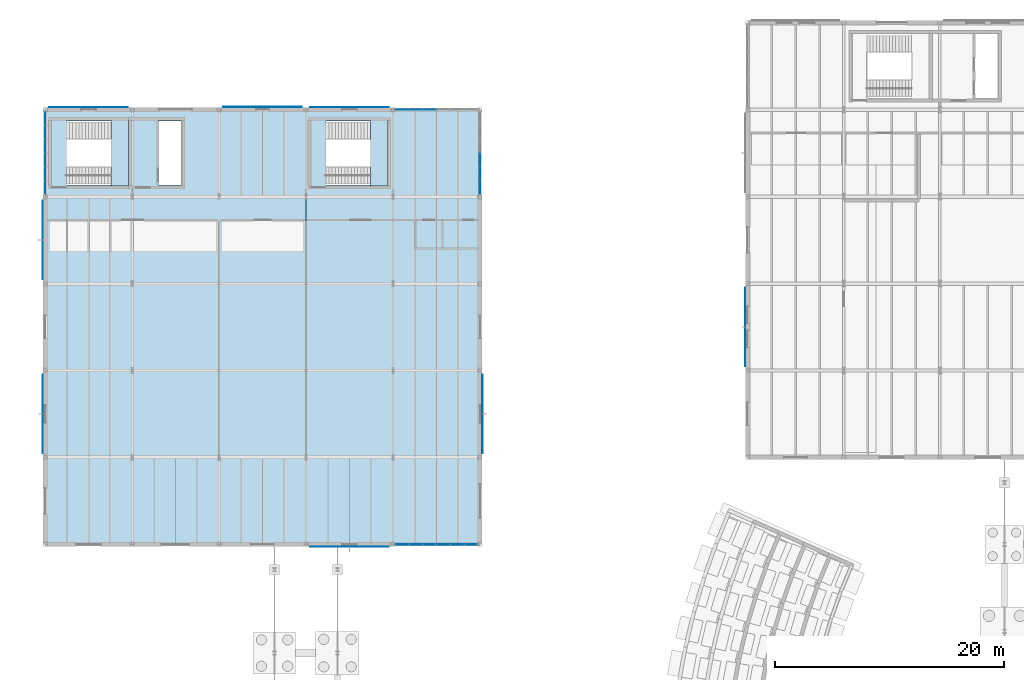
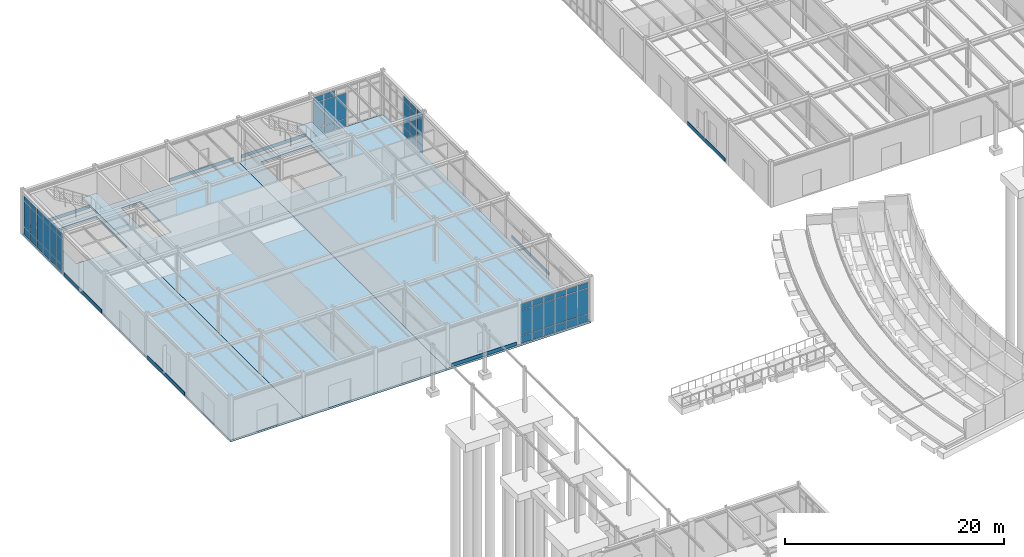
# One storey, part 76 of 109: 61 plates, 5 slabs, 6 elements without a shape of their own.
"""IFC4 building model written with IfcOpenShell, lengths in metres."""

from ifc_helpers import new_model, si_unit, direction, frame, origin, origin_2d, place, context, subcontext, project, spatial, polyline, rectangle, outline, extrude, material, layer, layer_set, type_object, element, aggregate, save


model = new_model("IFC4")

# Units and contexts
model_context = context("Model", 3, precision=1e-05, world=origin(), true_north=direction((0.0, 1.0)))
body_context = subcontext(model_context, "Body", "Model", "MODEL_VIEW")
ifc_project = project(units=[si_unit("LENGTHUNIT", "METRE"), si_unit("AREAUNIT", "SQUARE_METRE"), si_unit("VOLUMEUNIT", "CUBIC_METRE"), si_unit("PLANEANGLEUNIT", "RADIAN"), si_unit("MASSUNIT", "GRAM", prefix="KILO")], contexts=[model_context])

# Site, building, storey
site_placement = place(None, origin())
site = spatial("IfcSite", under=ifc_project, at=site_placement, CompositionType="ELEMENT")
building_placement = place(site_placement, origin())
building = spatial("IfcBuilding", under=site, at=building_placement, Name="Montecoro Central Library", CompositionType="ELEMENT")
storey_placement = place(building_placement, origin())
storey = spatial("IfcBuildingStorey", under=building, at=storey_placement, Name="L00", CompositionType="ELEMENT", Elevation=0.0)

# Curtain wall, plates
ifc_material_1 = material(Name="Bronze-anodised aluminium and low-E glazing", Category="aluminium")
ifc_layer_1 = layer(ifc_material_1, 0.159912109375)
ifc_layer_set_1 = layer_set([ifc_layer_1], Name="Bronze-anodised aluminium and low-E glazing")
curtain_wall_type_1 = type_object("IfcCurtainWallType", Name="CWT-038", PredefinedType="NOTDEFINED", material=ifc_layer_set_1)
curtain_wall_1_placement = place(storey_placement, origin())
curtain_wall_1 = element("IfcCurtainWall", 1, at=curtain_wall_1_placement, inside=storey, type_object=curtain_wall_type_1, Name="V4-L00-CW-S4", PredefinedType="NOTDEFINED")
ifc_material_2 = material(Name="Laminated low-E double glazing", Category="glass")
ifc_layer_2 = layer(ifc_material_2, 0.02587890625)
ifc_layer_set_2 = layer_set([ifc_layer_2], Name="Laminated low-E double glazing")
plate_type_1 = type_object("IfcPlateType", Name="CWP-GLZ-01", PredefinedType="CURTAIN_PANEL", material=ifc_layer_set_2)
plate_1_placement = place(storey_placement, frame((36.19921875, 73.39990234375, 0.070068359375), z_axis=(0.0, 0.0, 1.0), x_axis=(1.0, 0.0, 0.0)))
plate_1 = element("IfcPlate", 2, at=plate_1_placement, type_object=plate_type_1, Name="CW-038 panel 1.1", PredefinedType="CURTAIN_PANEL", context=body_context, shape_type="SweptSolid", body=[
    extrude(rectangle(XDim=1.102294921875, YDim=0.02587890625, at=origin_2d()), origin(), (0.0, 0.0, 1.0), 0.794921875),
])
plate_2_placement = place(storey_placement, frame((36.19921875, 73.39990234375, 0.93505859375), z_axis=(0.0, 0.0, 1.0), x_axis=(1.0, 0.0, 0.0)))
plate_2 = element("IfcPlate", 3, at=plate_2_placement, type_object=plate_type_1, Name="CW-038 panel 1.2", PredefinedType="CURTAIN_PANEL", context=body_context, shape_type="SweptSolid", body=[
    extrude(rectangle(XDim=1.102294921875, YDim=0.02587890625, at=origin_2d()), origin(), (0.0, 0.0, 1.0), 2.830078125),
])
plate_3_placement = place(storey_placement, frame((36.19921875, 73.39990234375, 3.8349609375), z_axis=(0.0, 0.0, 1.0), x_axis=(1.0, 0.0, 0.0)))
plate_3 = element("IfcPlate", 4, at=plate_3_placement, type_object=plate_type_1, Name="CW-038 panel 1.3", PredefinedType="CURTAIN_PANEL", context=body_context, shape_type="SweptSolid", body=[
    extrude(rectangle(XDim=1.102294921875, YDim=0.02587890625, at=origin_2d()), origin(), (0.0, 0.0, 1.0), 0.594970703125),
])
plate_4_placement = place(storey_placement, frame((37.388916015625, 73.39990234375, 0.070068359375), z_axis=(0.0, 0.0, 1.0), x_axis=(1.0, 0.0, 0.0)))
plate_4 = element("IfcPlate", 5, at=plate_4_placement, type_object=plate_type_1, Name="CW-038 panel 2.1", PredefinedType="CURTAIN_PANEL", context=body_context, shape_type="SweptSolid", body=[
    extrude(rectangle(XDim=1.137451171875, YDim=0.02587890625, at=origin_2d()), origin(), (0.0, 0.0, 1.0), 0.794921875),
])
plate_5_placement = place(storey_placement, frame((37.388916015625, 73.39990234375, 0.93505859375), z_axis=(0.0, 0.0, 1.0), x_axis=(1.0, 0.0, 0.0)))
plate_5 = element("IfcPlate", 6, at=plate_5_placement, type_object=plate_type_1, Name="CW-038 panel 2.2", PredefinedType="CURTAIN_PANEL", context=body_context, shape_type="SweptSolid", body=[
    extrude(rectangle(XDim=1.137451171875, YDim=0.02587890625, at=origin_2d()), origin(), (0.0, 0.0, 1.0), 2.830078125),
])
plate_6_placement = place(storey_placement, frame((37.388916015625, 73.39990234375, 3.8349609375), z_axis=(0.0, 0.0, 1.0), x_axis=(1.0, 0.0, 0.0)))
plate_6 = element("IfcPlate", 7, at=plate_6_placement, type_object=plate_type_1, Name="CW-038 panel 2.3", PredefinedType="CURTAIN_PANEL", context=body_context, shape_type="SweptSolid", body=[
    extrude(rectangle(XDim=1.137451171875, YDim=0.02587890625, at=origin_2d()), origin(), (0.0, 0.0, 1.0), 0.594970703125),
])
plate_7_placement = place(storey_placement, frame((38.596435546875, 73.39990234375, 0.070068359375), z_axis=(0.0, 0.0, 1.0), x_axis=(1.0, 0.0, 0.0)))
plate_7 = element("IfcPlate", 8, at=plate_7_placement, type_object=plate_type_1, Name="CW-038 panel 3.1", PredefinedType="CURTAIN_PANEL", context=body_context, shape_type="SweptSolid", body=[
    extrude(rectangle(XDim=1.137451171875, YDim=0.02587890625, at=origin_2d()), origin(), (0.0, 0.0, 1.0), 0.794921875),
])
plate_8_placement = place(storey_placement, frame((38.596435546875, 73.39990234375, 0.93505859375), z_axis=(0.0, 0.0, 1.0), x_axis=(1.0, 0.0, 0.0)))
plate_8 = element("IfcPlate", 9, at=plate_8_placement, type_object=plate_type_1, Name="CW-038 panel 3.2", PredefinedType="CURTAIN_PANEL", context=body_context, shape_type="SweptSolid", body=[
    extrude(rectangle(XDim=1.137451171875, YDim=0.02587890625, at=origin_2d()), origin(), (0.0, 0.0, 1.0), 2.830078125),
])
plate_9_placement = place(storey_placement, frame((38.596435546875, 73.39990234375, 3.8349609375), z_axis=(0.0, 0.0, 1.0), x_axis=(1.0, 0.0, 0.0)))
plate_9 = element("IfcPlate", 10, at=plate_9_placement, type_object=plate_type_1, Name="CW-038 panel 3.3", PredefinedType="CURTAIN_PANEL", context=body_context, shape_type="SweptSolid", body=[
    extrude(rectangle(XDim=1.137451171875, YDim=0.02587890625, at=origin_2d()), origin(), (0.0, 0.0, 1.0), 0.594970703125),
])
plate_10_placement = place(storey_placement, frame((39.8037109375, 73.39990234375, 0.070068359375), z_axis=(0.0, 0.0, 1.0), x_axis=(1.0, 0.0, 0.0)))
plate_10 = element("IfcPlate", 11, at=plate_10_placement, type_object=plate_type_1, Name="CW-038 panel 4.1", PredefinedType="CURTAIN_PANEL", context=body_context, shape_type="SweptSolid", body=[
    extrude(rectangle(XDim=1.137451171875, YDim=0.02587890625, at=origin_2d()), origin(), (0.0, 0.0, 1.0), 0.794921875),
])
plate_11_placement = place(storey_placement, frame((39.8037109375, 73.39990234375, 0.93505859375), z_axis=(0.0, 0.0, 1.0), x_axis=(1.0, 0.0, 0.0)))
plate_11 = element("IfcPlate", 12, at=plate_11_placement, type_object=plate_type_1, Name="CW-038 panel 4.2", PredefinedType="CURTAIN_PANEL", context=body_context, shape_type="SweptSolid", body=[
    extrude(rectangle(XDim=1.137451171875, YDim=0.02587890625, at=origin_2d()), origin(), (0.0, 0.0, 1.0), 2.830078125),
])
plate_12_placement = place(storey_placement, frame((39.8037109375, 73.39990234375, 3.8349609375), z_axis=(0.0, 0.0, 1.0), x_axis=(1.0, 0.0, 0.0)))
plate_12 = element("IfcPlate", 13, at=plate_12_placement, type_object=plate_type_1, Name="CW-038 panel 4.3", PredefinedType="CURTAIN_PANEL", context=body_context, shape_type="SweptSolid", body=[
    extrude(rectangle(XDim=1.137451171875, YDim=0.02587890625, at=origin_2d()), origin(), (0.0, 0.0, 1.0), 0.594970703125),
])
plate_13_placement = place(storey_placement, frame((41.010986328125, 73.39990234375, 0.070068359375), z_axis=(0.0, 0.0, 1.0), x_axis=(1.0, 0.0, 0.0)))
plate_13 = element("IfcPlate", 14, at=plate_13_placement, type_object=plate_type_1, Name="CW-038 panel 5.1", PredefinedType="CURTAIN_PANEL", context=body_context, shape_type="SweptSolid", body=[
    extrude(rectangle(XDim=1.137451171875, YDim=0.02587890625, at=origin_2d()), origin(), (0.0, 0.0, 1.0), 0.794921875),
])
plate_14_placement = place(storey_placement, frame((41.010986328125, 73.39990234375, 0.93505859375), z_axis=(0.0, 0.0, 1.0), x_axis=(1.0, 0.0, 0.0)))
plate_14 = element("IfcPlate", 15, at=plate_14_placement, type_object=plate_type_1, Name="CW-038 panel 5.2", PredefinedType="CURTAIN_PANEL", context=body_context, shape_type="SweptSolid", body=[
    extrude(rectangle(XDim=1.137451171875, YDim=0.02587890625, at=origin_2d()), origin(), (0.0, 0.0, 1.0), 2.830078125),
])
plate_15_placement = place(storey_placement, frame((41.010986328125, 73.39990234375, 3.8349609375), z_axis=(0.0, 0.0, 1.0), x_axis=(1.0, 0.0, 0.0)))
plate_15 = element("IfcPlate", 16, at=plate_15_placement, type_object=plate_type_1, Name="CW-038 panel 5.3", PredefinedType="CURTAIN_PANEL", context=body_context, shape_type="SweptSolid", body=[
    extrude(rectangle(XDim=1.137451171875, YDim=0.02587890625, at=origin_2d()), origin(), (0.0, 0.0, 1.0), 0.594970703125),
])
plate_16_placement = place(storey_placement, frame((42.200927734375, 73.39990234375, 0.070068359375), z_axis=(0.0, 0.0, 1.0), x_axis=(1.0, 0.0, 0.0)))
plate_16 = element("IfcPlate", 17, at=plate_16_placement, type_object=plate_type_1, Name="CW-038 panel 6.1", PredefinedType="CURTAIN_PANEL", context=body_context, shape_type="SweptSolid", body=[
    extrude(rectangle(XDim=1.102294921875, YDim=0.02587890625, at=origin_2d()), origin(), (0.0, 0.0, 1.0), 0.794921875),
])
plate_17_placement = place(storey_placement, frame((42.200927734375, 73.39990234375, 0.93505859375), z_axis=(0.0, 0.0, 1.0), x_axis=(1.0, 0.0, 0.0)))
plate_17 = element("IfcPlate", 18, at=plate_17_placement, type_object=plate_type_1, Name="CW-038 panel 6.2", PredefinedType="CURTAIN_PANEL", context=body_context, shape_type="SweptSolid", body=[
    extrude(rectangle(XDim=1.102294921875, YDim=0.02587890625, at=origin_2d()), origin(), (0.0, 0.0, 1.0), 2.830078125),
])
plate_18_placement = place(storey_placement, frame((42.200927734375, 73.39990234375, 3.8349609375), z_axis=(0.0, 0.0, 1.0), x_axis=(1.0, 0.0, 0.0)))
plate_18 = element("IfcPlate", 19, at=plate_18_placement, type_object=plate_type_1, Name="CW-038 panel 6.3", PredefinedType="CURTAIN_PANEL", context=body_context, shape_type="SweptSolid", body=[
    extrude(rectangle(XDim=1.102294921875, YDim=0.02587890625, at=origin_2d()), origin(), (0.0, 0.0, 1.0), 0.594970703125),
])
aggregate(curtain_wall_1, [plate_1, plate_2, plate_3, plate_4, plate_5, plate_6, plate_7, plate_8, plate_9, plate_10, plate_11, plate_12, plate_13, plate_14, plate_15, plate_16, plate_17, plate_18])

ifc_layer_3 = layer(ifc_material_1, 0.159912109375)
ifc_layer_set_3 = layer_set([ifc_layer_3], Name="Bronze-anodised aluminium and low-E glazing")
curtain_wall_type_2 = type_object("IfcCurtainWallType", Name="CWT-039", PredefinedType="NOTDEFINED", material=ifc_layer_set_3)
curtain_wall_2_placement = place(storey_placement, origin())
curtain_wall_2 = element("IfcCurtainWall", 20, at=curtain_wall_2_placement, inside=storey, type_object=curtain_wall_type_2, Name="V4-L00-CW-E4", PredefinedType="NOTDEFINED")
plate_19_placement = place(storey_placement, frame((43.0, 104.59912109375, 0.070068359375), z_axis=(0.0, 0.0, 1.0), x_axis=(0.0, 1.0, 0.0)))
plate_19 = element("IfcPlate", 21, at=plate_19_placement, type_object=plate_type_1, Name="CW-039 panel 1.1", PredefinedType="CURTAIN_PANEL", context=body_context, shape_type="SweptSolid", body=[
    extrude(rectangle(XDim=1.102294921875, YDim=0.02587890625, at=origin_2d()), origin(), (0.0, 0.0, 1.0), 0.794921875),
])
plate_20_placement = place(storey_placement, frame((43.0, 104.59912109375, 0.93505859375), z_axis=(0.0, 0.0, 1.0), x_axis=(0.0, 1.0, 0.0)))
plate_20 = element("IfcPlate", 22, at=plate_20_placement, type_object=plate_type_1, Name="CW-039 panel 1.2", PredefinedType="CURTAIN_PANEL", context=body_context, shape_type="SweptSolid", body=[
    extrude(rectangle(XDim=1.102294921875, YDim=0.02587890625, at=origin_2d()), origin(), (0.0, 0.0, 1.0), 2.830078125),
])
plate_21_placement = place(storey_placement, frame((43.0, 104.59912109375, 3.8349609375), z_axis=(0.0, 0.0, 1.0), x_axis=(0.0, 1.0, 0.0)))
plate_21 = element("IfcPlate", 23, at=plate_21_placement, type_object=plate_type_1, Name="CW-039 panel 1.3", PredefinedType="CURTAIN_PANEL", context=body_context, shape_type="SweptSolid", body=[
    extrude(rectangle(XDim=1.102294921875, YDim=0.02587890625, at=origin_2d()), origin(), (0.0, 0.0, 1.0), 0.594970703125),
])
plate_22_placement = place(storey_placement, frame((43.0, 105.7890625, 0.070068359375), z_axis=(0.0, 0.0, 1.0), x_axis=(0.0, 1.0, 0.0)))
plate_22 = element("IfcPlate", 24, at=plate_22_placement, type_object=plate_type_1, Name="CW-039 panel 2.1", PredefinedType="CURTAIN_PANEL", context=body_context, shape_type="SweptSolid", body=[
    extrude(rectangle(XDim=1.137451171875, YDim=0.02587890625, at=origin_2d()), origin(), (0.0, 0.0, 1.0), 0.794921875),
])
plate_23_placement = place(storey_placement, frame((43.0, 105.7890625, 0.93505859375), z_axis=(0.0, 0.0, 1.0), x_axis=(0.0, 1.0, 0.0)))
plate_23 = element("IfcPlate", 25, at=plate_23_placement, type_object=plate_type_1, Name="CW-039 panel 2.2", PredefinedType="CURTAIN_PANEL", context=body_context, shape_type="SweptSolid", body=[
    extrude(rectangle(XDim=1.137451171875, YDim=0.02587890625, at=origin_2d()), origin(), (0.0, 0.0, 1.0), 2.830078125),
])
plate_24_placement = place(storey_placement, frame((43.0, 105.7890625, 3.8349609375), z_axis=(0.0, 0.0, 1.0), x_axis=(0.0, 1.0, 0.0)))
plate_24 = element("IfcPlate", 26, at=plate_24_placement, type_object=plate_type_1, Name="CW-039 panel 2.3", PredefinedType="CURTAIN_PANEL", context=body_context, shape_type="SweptSolid", body=[
    extrude(rectangle(XDim=1.137451171875, YDim=0.02587890625, at=origin_2d()), origin(), (0.0, 0.0, 1.0), 0.594970703125),
])
plate_25_placement = place(storey_placement, frame((43.0, 106.996337890625, 0.070068359375), z_axis=(0.0, 0.0, 1.0), x_axis=(0.0, 1.0, 0.0)))
plate_25 = element("IfcPlate", 27, at=plate_25_placement, type_object=plate_type_1, Name="CW-039 panel 3.1", PredefinedType="CURTAIN_PANEL", context=body_context, shape_type="SweptSolid", body=[
    extrude(rectangle(XDim=1.137451171875, YDim=0.02587890625, at=origin_2d()), origin(), (0.0, 0.0, 1.0), 0.794921875),
])
plate_26_placement = place(storey_placement, frame((43.0, 106.996337890625, 0.93505859375), z_axis=(0.0, 0.0, 1.0), x_axis=(0.0, 1.0, 0.0)))
plate_26 = element("IfcPlate", 28, at=plate_26_placement, type_object=plate_type_1, Name="CW-039 panel 3.2", PredefinedType="CURTAIN_PANEL", context=body_context, shape_type="SweptSolid", body=[
    extrude(rectangle(XDim=1.137451171875, YDim=0.02587890625, at=origin_2d()), origin(), (0.0, 0.0, 1.0), 2.830078125),
])
plate_27_placement = place(storey_placement, frame((43.0, 106.996337890625, 3.8349609375), z_axis=(0.0, 0.0, 1.0), x_axis=(0.0, 1.0, 0.0)))
plate_27 = element("IfcPlate", 29, at=plate_27_placement, type_object=plate_type_1, Name="CW-039 panel 3.3", PredefinedType="CURTAIN_PANEL", context=body_context, shape_type="SweptSolid", body=[
    extrude(rectangle(XDim=1.137451171875, YDim=0.02587890625, at=origin_2d()), origin(), (0.0, 0.0, 1.0), 0.594970703125),
])
aggregate(curtain_wall_2, [plate_19, plate_20, plate_21, plate_22, plate_23, plate_24, plate_25, plate_26, plate_27])

ifc_layer_4 = layer(ifc_material_1, 0.159912109375)
ifc_layer_set_4 = layer_set([ifc_layer_4], Name="Bronze-anodised aluminium and low-E glazing")
curtain_wall_type_3 = type_object("IfcCurtainWallType", Name="CWT-040", PredefinedType="NOTDEFINED", material=ifc_layer_set_4)
curtain_wall_3_placement = place(storey_placement, origin())
curtain_wall_3 = element("IfcCurtainWall", 30, at=curtain_wall_3_placement, inside=storey, type_object=curtain_wall_type_3, Name="V4-L00-CW-N4", PredefinedType="NOTDEFINED")
plate_28_placement = place(storey_placement, frame((38.596435546875, 111.39990234375, 0.070068359375), z_axis=(0.0, 0.0, 1.0), x_axis=(-1.0, 0.0, 0.0)))
plate_28 = element("IfcPlate", 31, at=plate_28_placement, type_object=plate_type_1, Name="CW-040 panel 4.1", PredefinedType="CURTAIN_PANEL", context=body_context, shape_type="SweptSolid", body=[
    extrude(rectangle(XDim=1.137451171875, YDim=0.02587890625, at=origin_2d()), origin(), (0.0, 0.0, 1.0), 0.794921875),
])
plate_29_placement = place(storey_placement, frame((38.596435546875, 111.39990234375, 0.93505859375), z_axis=(0.0, 0.0, 1.0), x_axis=(-1.0, 0.0, 0.0)))
plate_29 = element("IfcPlate", 32, at=plate_29_placement, type_object=plate_type_1, Name="CW-040 panel 4.2", PredefinedType="CURTAIN_PANEL", context=body_context, shape_type="SweptSolid", body=[
    extrude(rectangle(XDim=1.137451171875, YDim=0.02587890625, at=origin_2d()), origin(), (0.0, 0.0, 1.0), 2.830078125),
])
plate_30_placement = place(storey_placement, frame((37.388916015625, 111.39990234375, 0.070068359375), z_axis=(0.0, 0.0, 1.0), x_axis=(-1.0, 0.0, 0.0)))
plate_30 = element("IfcPlate", 33, at=plate_30_placement, type_object=plate_type_1, Name="CW-040 panel 5.1", PredefinedType="CURTAIN_PANEL", context=body_context, shape_type="SweptSolid", body=[
    extrude(rectangle(XDim=1.137451171875, YDim=0.02587890625, at=origin_2d()), origin(), (0.0, 0.0, 1.0), 0.794921875),
])
plate_31_placement = place(storey_placement, frame((37.388916015625, 111.39990234375, 0.93505859375), z_axis=(0.0, 0.0, 1.0), x_axis=(-1.0, 0.0, 0.0)))
plate_31 = element("IfcPlate", 34, at=plate_31_placement, type_object=plate_type_1, Name="CW-040 panel 5.2", PredefinedType="CURTAIN_PANEL", context=body_context, shape_type="SweptSolid", body=[
    extrude(rectangle(XDim=1.137451171875, YDim=0.02587890625, at=origin_2d()), origin(), (0.0, 0.0, 1.0), 2.830078125),
])
plate_32_placement = place(storey_placement, frame((37.388916015625, 111.39990234375, 3.8349609375), z_axis=(0.0, 0.0, 1.0), x_axis=(-1.0, 0.0, 0.0)))
plate_32 = element("IfcPlate", 35, at=plate_32_placement, type_object=plate_type_1, Name="CW-040 panel 5.3", PredefinedType="CURTAIN_PANEL", context=body_context, shape_type="SweptSolid", body=[
    extrude(rectangle(XDim=1.137451171875, YDim=0.02587890625, at=origin_2d()), origin(), (0.0, 0.0, 1.0), 0.594970703125),
])
plate_33_placement = place(storey_placement, frame((36.19921875, 111.39990234375, 0.070068359375), z_axis=(0.0, 0.0, 1.0), x_axis=(-1.0, 0.0, 0.0)))
plate_33 = element("IfcPlate", 36, at=plate_33_placement, type_object=plate_type_1, Name="CW-040 panel 6.1", PredefinedType="CURTAIN_PANEL", context=body_context, shape_type="SweptSolid", body=[
    extrude(rectangle(XDim=1.102294921875, YDim=0.02587890625, at=origin_2d()), origin(), (0.0, 0.0, 1.0), 0.794921875),
])
plate_34_placement = place(storey_placement, frame((36.19921875, 111.39990234375, 0.93505859375), z_axis=(0.0, 0.0, 1.0), x_axis=(-1.0, 0.0, 0.0)))
plate_34 = element("IfcPlate", 37, at=plate_34_placement, type_object=plate_type_1, Name="CW-040 panel 6.2", PredefinedType="CURTAIN_PANEL", context=body_context, shape_type="SweptSolid", body=[
    extrude(rectangle(XDim=1.102294921875, YDim=0.02587890625, at=origin_2d()), origin(), (0.0, 0.0, 1.0), 2.830078125),
])
plate_35_placement = place(storey_placement, frame((36.19921875, 111.39990234375, 3.8349609375), z_axis=(0.0, 0.0, 1.0), x_axis=(-1.0, 0.0, 0.0)))
plate_35 = element("IfcPlate", 38, at=plate_35_placement, type_object=plate_type_1, Name="CW-040 panel 6.3", PredefinedType="CURTAIN_PANEL", context=body_context, shape_type="SweptSolid", body=[
    extrude(rectangle(XDim=1.102294921875, YDim=0.02587890625, at=origin_2d()), origin(), (0.0, 0.0, 1.0), 0.594970703125),
])
aggregate(curtain_wall_3, [plate_28, plate_29, plate_30, plate_31, plate_32, plate_33, plate_34, plate_35])

ifc_layer_5 = layer(ifc_material_1, 0.159912109375)
ifc_layer_set_5 = layer_set([ifc_layer_5], Name="Bronze-anodised aluminium and low-E glazing")
curtain_wall_type_4 = type_object("IfcCurtainWallType", Name="CWT-041", PredefinedType="NOTDEFINED", material=ifc_layer_set_5)
curtain_wall_4_placement = place(storey_placement, origin())
curtain_wall_4 = element("IfcCurtainWall", 39, at=curtain_wall_4_placement, inside=storey, type_object=curtain_wall_type_4, Name="V4-L00-CW-W4", PredefinedType="NOTDEFINED")
plate_36_placement = place(storey_placement, frame((5.0, 110.600830078125, 0.070068359375), z_axis=(0.0, 0.0, 1.0), x_axis=(0.0, -1.0, 0.0)))
plate_36 = element("IfcPlate", 40, at=plate_36_placement, type_object=plate_type_1, Name="CW-041 panel 1.1", PredefinedType="CURTAIN_PANEL", context=body_context, shape_type="SweptSolid", body=[
    extrude(rectangle(XDim=1.102294921875, YDim=0.02587890625, at=origin_2d()), origin(), (0.0, 0.0, 1.0), 0.794921875),
])
plate_37_placement = place(storey_placement, frame((5.0, 110.600830078125, 0.93505859375), z_axis=(0.0, 0.0, 1.0), x_axis=(0.0, -1.0, 0.0)))
plate_37 = element("IfcPlate", 41, at=plate_37_placement, type_object=plate_type_1, Name="CW-041 panel 1.2", PredefinedType="CURTAIN_PANEL", context=body_context, shape_type="SweptSolid", body=[
    extrude(rectangle(XDim=1.102294921875, YDim=0.02587890625, at=origin_2d()), origin(), (0.0, 0.0, 1.0), 2.830078125),
])
plate_38_placement = place(storey_placement, frame((5.0, 110.600830078125, 3.8349609375), z_axis=(0.0, 0.0, 1.0), x_axis=(0.0, -1.0, 0.0)))
plate_38 = element("IfcPlate", 42, at=plate_38_placement, type_object=plate_type_1, Name="CW-041 panel 1.3", PredefinedType="CURTAIN_PANEL", context=body_context, shape_type="SweptSolid", body=[
    extrude(rectangle(XDim=1.102294921875, YDim=0.02587890625, at=origin_2d()), origin(), (0.0, 0.0, 1.0), 0.594970703125),
])
plate_39_placement = place(storey_placement, frame((5.0, 109.410888671875, 0.070068359375), z_axis=(0.0, 0.0, 1.0), x_axis=(0.0, -1.0, 0.0)))
plate_39 = element("IfcPlate", 43, at=plate_39_placement, type_object=plate_type_1, Name="CW-041 panel 2.1", PredefinedType="CURTAIN_PANEL", context=body_context, shape_type="SweptSolid", body=[
    extrude(rectangle(XDim=1.137451171875, YDim=0.02587890625, at=origin_2d()), origin(), (0.0, 0.0, 1.0), 0.794921875),
])
plate_40_placement = place(storey_placement, frame((5.0, 109.410888671875, 0.93505859375), z_axis=(0.0, 0.0, 1.0), x_axis=(0.0, -1.0, 0.0)))
plate_40 = element("IfcPlate", 44, at=plate_40_placement, type_object=plate_type_1, Name="CW-041 panel 2.2", PredefinedType="CURTAIN_PANEL", context=body_context, shape_type="SweptSolid", body=[
    extrude(rectangle(XDim=1.137451171875, YDim=0.02587890625, at=origin_2d()), origin(), (0.0, 0.0, 1.0), 2.830078125),
])
plate_41_placement = place(storey_placement, frame((5.0, 109.410888671875, 3.8349609375), z_axis=(0.0, 0.0, 1.0), x_axis=(0.0, -1.0, 0.0)))
plate_41 = element("IfcPlate", 45, at=plate_41_placement, type_object=plate_type_1, Name="CW-041 panel 2.3", PredefinedType="CURTAIN_PANEL", context=body_context, shape_type="SweptSolid", body=[
    extrude(rectangle(XDim=1.137451171875, YDim=0.02587890625, at=origin_2d()), origin(), (0.0, 0.0, 1.0), 0.594970703125),
])
plate_42_placement = place(storey_placement, frame((5.0, 108.20361328125, 0.070068359375), z_axis=(0.0, 0.0, 1.0), x_axis=(0.0, -1.0, 0.0)))
plate_42 = element("IfcPlate", 46, at=plate_42_placement, type_object=plate_type_1, Name="CW-041 panel 3.1", PredefinedType="CURTAIN_PANEL", context=body_context, shape_type="SweptSolid", body=[
    extrude(rectangle(XDim=1.137451171875, YDim=0.02587890625, at=origin_2d()), origin(), (0.0, 0.0, 1.0), 0.794921875),
])
plate_43_placement = place(storey_placement, frame((5.0, 108.20361328125, 0.93505859375), z_axis=(0.0, 0.0, 1.0), x_axis=(0.0, -1.0, 0.0)))
plate_43 = element("IfcPlate", 47, at=plate_43_placement, type_object=plate_type_1, Name="CW-041 panel 3.2", PredefinedType="CURTAIN_PANEL", context=body_context, shape_type="SweptSolid", body=[
    extrude(rectangle(XDim=1.137451171875, YDim=0.02587890625, at=origin_2d()), origin(), (0.0, 0.0, 1.0), 2.830078125),
])
plate_44_placement = place(storey_placement, frame((5.0, 108.20361328125, 3.8349609375), z_axis=(0.0, 0.0, 1.0), x_axis=(0.0, -1.0, 0.0)))
plate_44 = element("IfcPlate", 48, at=plate_44_placement, type_object=plate_type_1, Name="CW-041 panel 3.3", PredefinedType="CURTAIN_PANEL", context=body_context, shape_type="SweptSolid", body=[
    extrude(rectangle(XDim=1.137451171875, YDim=0.02587890625, at=origin_2d()), origin(), (0.0, 0.0, 1.0), 0.594970703125),
])
plate_45_placement = place(storey_placement, frame((5.0, 106.996337890625, 0.070068359375), z_axis=(0.0, 0.0, 1.0), x_axis=(0.0, -1.0, 0.0)))
plate_45 = element("IfcPlate", 49, at=plate_45_placement, type_object=plate_type_1, Name="CW-041 panel 4.1", PredefinedType="CURTAIN_PANEL", context=body_context, shape_type="SweptSolid", body=[
    extrude(rectangle(XDim=1.137451171875, YDim=0.02587890625, at=origin_2d()), origin(), (0.0, 0.0, 1.0), 0.794921875),
])
plate_46_placement = place(storey_placement, frame((5.0, 106.996337890625, 0.93505859375), z_axis=(0.0, 0.0, 1.0), x_axis=(0.0, -1.0, 0.0)))
plate_46 = element("IfcPlate", 50, at=plate_46_placement, type_object=plate_type_1, Name="CW-041 panel 4.2", PredefinedType="CURTAIN_PANEL", context=body_context, shape_type="SweptSolid", body=[
    extrude(rectangle(XDim=1.137451171875, YDim=0.02587890625, at=origin_2d()), origin(), (0.0, 0.0, 1.0), 2.830078125),
])
plate_47_placement = place(storey_placement, frame((5.0, 106.996337890625, 3.8349609375), z_axis=(0.0, 0.0, 1.0), x_axis=(0.0, -1.0, 0.0)))
plate_47 = element("IfcPlate", 51, at=plate_47_placement, type_object=plate_type_1, Name="CW-041 panel 4.3", PredefinedType="CURTAIN_PANEL", context=body_context, shape_type="SweptSolid", body=[
    extrude(rectangle(XDim=1.137451171875, YDim=0.02587890625, at=origin_2d()), origin(), (0.0, 0.0, 1.0), 0.594970703125),
])
plate_48_placement = place(storey_placement, frame((5.0, 105.7890625, 0.070068359375), z_axis=(0.0, 0.0, 1.0), x_axis=(0.0, -1.0, 0.0)))
plate_48 = element("IfcPlate", 52, at=plate_48_placement, type_object=plate_type_1, Name="CW-041 panel 5.1", PredefinedType="CURTAIN_PANEL", context=body_context, shape_type="SweptSolid", body=[
    extrude(rectangle(XDim=1.137451171875, YDim=0.02587890625, at=origin_2d()), origin(), (0.0, 0.0, 1.0), 0.794921875),
])
plate_49_placement = place(storey_placement, frame((5.0, 105.7890625, 0.93505859375), z_axis=(0.0, 0.0, 1.0), x_axis=(0.0, -1.0, 0.0)))
plate_49 = element("IfcPlate", 53, at=plate_49_placement, type_object=plate_type_1, Name="CW-041 panel 5.2", PredefinedType="CURTAIN_PANEL", context=body_context, shape_type="SweptSolid", body=[
    extrude(rectangle(XDim=1.137451171875, YDim=0.02587890625, at=origin_2d()), origin(), (0.0, 0.0, 1.0), 2.830078125),
])
plate_50_placement = place(storey_placement, frame((5.0, 105.7890625, 3.8349609375), z_axis=(0.0, 0.0, 1.0), x_axis=(0.0, -1.0, 0.0)))
plate_50 = element("IfcPlate", 54, at=plate_50_placement, type_object=plate_type_1, Name="CW-041 panel 5.3", PredefinedType="CURTAIN_PANEL", context=body_context, shape_type="SweptSolid", body=[
    extrude(rectangle(XDim=1.137451171875, YDim=0.02587890625, at=origin_2d()), origin(), (0.0, 0.0, 1.0), 0.594970703125),
])
plate_51_placement = place(storey_placement, frame((5.0, 104.59912109375, 0.070068359375), z_axis=(0.0, 0.0, 1.0), x_axis=(0.0, -1.0, 0.0)))
plate_51 = element("IfcPlate", 55, at=plate_51_placement, type_object=plate_type_1, Name="CW-041 panel 6.1", PredefinedType="CURTAIN_PANEL", context=body_context, shape_type="SweptSolid", body=[
    extrude(rectangle(XDim=1.102294921875, YDim=0.02587890625, at=origin_2d()), origin(), (0.0, 0.0, 1.0), 0.794921875),
])
plate_52_placement = place(storey_placement, frame((5.0, 104.59912109375, 0.93505859375), z_axis=(0.0, 0.0, 1.0), x_axis=(0.0, -1.0, 0.0)))
plate_52 = element("IfcPlate", 56, at=plate_52_placement, type_object=plate_type_1, Name="CW-041 panel 6.2", PredefinedType="CURTAIN_PANEL", context=body_context, shape_type="SweptSolid", body=[
    extrude(rectangle(XDim=1.102294921875, YDim=0.02587890625, at=origin_2d()), origin(), (0.0, 0.0, 1.0), 2.830078125),
])
plate_53_placement = place(storey_placement, frame((5.0, 104.59912109375, 3.8349609375), z_axis=(0.0, 0.0, 1.0), x_axis=(0.0, -1.0, 0.0)))
plate_53 = element("IfcPlate", 57, at=plate_53_placement, type_object=plate_type_1, Name="CW-041 panel 6.3", PredefinedType="CURTAIN_PANEL", context=body_context, shape_type="SweptSolid", body=[
    extrude(rectangle(XDim=1.102294921875, YDim=0.02587890625, at=origin_2d()), origin(), (0.0, 0.0, 1.0), 0.594970703125),
])
aggregate(curtain_wall_4, [plate_36, plate_37, plate_38, plate_39, plate_40, plate_41, plate_42, plate_43, plate_44, plate_45, plate_46, plate_47, plate_48, plate_49, plate_50, plate_51, plate_52, plate_53])

# Plates
ifc_material_3 = material(Name="Architectural bronze spandrel plate", Category="aluminium")
ifc_layer_6 = layer(ifc_material_3, 0.02197265625)
ifc_layer_set_6 = layer_set([ifc_layer_6], Name="Architectural bronze spandrel plate")
plate_type_2 = type_object("IfcPlateType", Name="PLT-SPN-01", PredefinedType="SHEET", material=ifc_layer_set_6)
for number, where, z_axis, x_axis, name in (
    (58, (31.60009765625, 73.196533203125, 0.16015625), (0.0, 0.0, 1.0), (1.0, 0.0, 0.0), "V4-L00-SPN-S3"),
    (59, (31.60009765625, 111.603515625, 0.16015625), (0.0, 0.0, 1.0), (-1.0, 0.0, 0.0), "V4-L00-SPN-N3"),
    (60, (4.79638671875, 100.0, 0.16015625), (0.0, 0.0, 1.0), (0.0, -1.0, 0.0), "V4-L00-SPN-W3"),
):
    element("IfcPlate", number, at=place(storey_placement, frame(where, z_axis=z_axis, x_axis=x_axis)), inside=storey, type_object=plate_type_2, Name=name, PredefinedType="SHEET", context=body_context, shape_type="SweptSolid", body=[
        extrude(rectangle(XDim=6.843994140625, YDim=0.02197265625, at=origin_2d()), origin(), (0.0, 0.0, 1.0), 0.39990234375),
    ])
ifc_layer_7 = layer(ifc_material_3, 0.028076171875)
ifc_layer_set_7 = layer_set([ifc_layer_7], Name="Architectural bronze spandrel plate")
plate_type_3 = type_object("IfcPlateType", Name="PLT-SPN-02", PredefinedType="SHEET", material=ifc_layer_set_7)
plate_54_placement = place(storey_placement, frame((8.800048828125, 111.6064453125, 0.16015625), z_axis=(0.0, 0.0, 1.0), x_axis=(-1.0, 0.0, 0.0)))
element("IfcPlate", 61, at=plate_54_placement, inside=storey, type_object=plate_type_3, Name="V4-L00-SPN-N0", PredefinedType="SHEET", context=body_context, shape_type="SweptSolid", body=[
    extrude(rectangle(XDim=6.843994140625, YDim=0.028076171875, at=origin_2d()), origin(), (0.0, 0.0, 1.0), 0.39990234375),
])
ifc_layer_8 = layer(ifc_material_3, 0.035888671875)
ifc_layer_set_8 = layer_set([ifc_layer_8], Name="Architectural bronze spandrel plate")
plate_type_4 = type_object("IfcPlateType", Name="PLT-SPN-03", PredefinedType="SHEET", material=ifc_layer_set_8)
for number, where, z_axis, x_axis, name in (
    (62, (66.189453125, 92.39990234375, 0.16015625), (0.0, 0.0, 1.0), (0.0, -1.0, 0.0), "V2-L00-SPN-W1"),
    (63, (43.21044921875, 84.800048828125, 0.16015625), (0.0, 0.0, 1.0), (0.0, 1.0, 0.0), "V4-L00-SPN-E1"),
    (64, (4.78955078125, 84.800048828125, 0.16015625), (0.0, 0.0, 1.0), (0.0, -1.0, 0.0), "V4-L00-SPN-W1"),
):
    element("IfcPlate", number, at=place(storey_placement, frame(where, z_axis=z_axis, x_axis=x_axis)), inside=storey, type_object=plate_type_4, Name=name, PredefinedType="SHEET", context=body_context, shape_type="SweptSolid", body=[
        extrude(rectangle(XDim=6.843994140625, YDim=0.035888671875, at=origin_2d()), origin(), (0.0, 0.0, 1.0), 0.39990234375),
    ])
ifc_layer_9 = layer(ifc_material_3, 0.0439453125)
ifc_layer_set_9 = layer_set([ifc_layer_9], Name="Architectural bronze spandrel plate")
plate_type_5 = type_object("IfcPlateType", Name="PLT-SPN-04", PredefinedType="SHEET", material=ifc_layer_set_9)
plate_55_placement = place(storey_placement, frame((24.0, 111.614501953125, 0.16015625), z_axis=(0.0, 0.0, 1.0), x_axis=(-1.0, 0.0, 0.0)))
element("IfcPlate", 65, at=plate_55_placement, inside=storey, type_object=plate_type_5, Name="V4-L00-SPN-N2", PredefinedType="SHEET", context=body_context, shape_type="SweptSolid", body=[
    extrude(rectangle(XDim=6.843994140625, YDim=0.0439453125, at=origin_2d()), origin(), (0.0, 0.0, 1.0), 0.39990234375),
])

# Slabs
ifc_material_4 = material(Name="Concrete C32/40", Category="concrete")
ifc_layer_10 = layer(ifc_material_4, 0.215087890625)
ifc_layer_set_10 = layer_set([ifc_layer_10], Name="Concrete C32/40")
slab_type_1 = type_object("IfcSlabType", Name="SL-FLR-215", PredefinedType="FLOOR", material=ifc_layer_set_10)
slab_1_placement = place(storey_placement, frame((0.0, 0.0, -0.215087890625)))
element("IfcSlab", 66, at=slab_1_placement, inside=storey, type_object=slab_type_1, Name="V4-L00-SL1", PredefinedType="FLOOR", context=body_context, shape_type="SweptSolid", body=[
    extrude(outline(polyline([(5.0, 73.39990234375), (12.60009765625, 73.39990234375), (12.60009765625, 111.39990234375), (5.0, 111.39990234375), (5.0, 73.39990234375)]), holes=[polyline([(6.8798828125, 110.39990234375), (12.219970703125, 110.39990234375), (12.219970703125, 104.800048828125), (6.8798828125, 104.800048828125), (6.8798828125, 110.39990234375)])]), origin(), (0.0, 0.0, 1.0), 0.215087890625),
])
slab_2_placement = place(storey_placement, frame((0.0, 0.0, -0.215087890625)))
element("IfcSlab", 67, at=slab_2_placement, inside=storey, type_object=slab_type_1, Name="V4-L00-SL2", PredefinedType="FLOOR", context=body_context, shape_type="SweptSolid", body=[
    extrude(outline(polyline([(12.60009765625, 73.39990234375), (27.800048828125, 73.39990234375), (27.800048828125, 111.39990234375), (12.60009765625, 111.39990234375), (12.60009765625, 73.39990234375)]), holes=[polyline([(14.85009765625, 110.39990234375), (16.89990234375, 110.39990234375), (16.89990234375, 104.800048828125), (14.85009765625, 104.800048828125), (14.85009765625, 110.39990234375)])]), origin(), (0.0, 0.0, 1.0), 0.215087890625),
])
slab_3_placement = place(storey_placement, frame((0.0, 0.0, -0.215087890625)))
element("IfcSlab", 68, at=slab_3_placement, inside=storey, type_object=slab_type_1, Name="V4-L00-SL3", PredefinedType="FLOOR", context=body_context, shape_type="SweptSolid", body=[
    extrude(outline(polyline([(27.800048828125, 73.39990234375), (43.0, 73.39990234375), (43.0, 111.39990234375), (27.800048828125, 111.39990234375), (27.800048828125, 73.39990234375)]), holes=[polyline([(29.56005859375, 110.39990234375), (34.89990234375, 110.39990234375), (34.89990234375, 104.800048828125), (29.56005859375, 104.800048828125), (29.56005859375, 110.39990234375)])]), origin(), (0.0, 0.0, 1.0), 0.215087890625),
])

# Stair, slab
ifc_material_5 = material(Name="Concrete C35/45", Category="concrete")
stair_type = type_object("IfcStairType", Name="STR-RET-150", PredefinedType="HALF_TURN_STAIR", material=ifc_material_5)
stair_1_placement = place(storey_placement, origin())
stair_1 = element("IfcStair", 69, at=stair_1_placement, inside=storey, type_object=stair_type, Name="C5-L00-STR", PredefinedType="HALF_TURN_STAIR")
ifc_layer_11 = layer(ifc_material_5, 0.199951171875)
ifc_layer_set_11 = layer_set([ifc_layer_11], Name="Concrete C35/45")
slab_type_2 = type_object("IfcSlabType", Name="SL-LND-200", PredefinedType="LANDING", material=ifc_layer_set_11)
slab_4_placement = place(storey_placement, frame((0.0, 0.0, 2.35009765625)))
slab_4 = element("IfcSlab", 70, at=slab_4_placement, type_object=slab_type_2, Name="ST-05 landing 1", PredefinedType="LANDING", context=body_context, shape_type="SweptSolid", body=[
    extrude(outline(polyline([(10.760009765625, 104.719970703125), (12.300048828125, 104.719970703125), (12.300048828125, 110.47998046875), (10.760009765625, 110.47998046875), (10.760009765625, 104.719970703125)])), origin(), (0.0, 0.0, 1.0), 0.199951171875),
])
aggregate(stair_1, [slab_4])

stair_2_placement = place(storey_placement, origin())
stair_2 = element("IfcStair", 71, at=stair_2_placement, inside=storey, type_object=stair_type, Name="C9-L00-STR", PredefinedType="HALF_TURN_STAIR")
slab_5_placement = place(storey_placement, frame((0.0, 0.0, 2.35009765625)))
slab_5 = element("IfcSlab", 72, at=slab_5_placement, type_object=slab_type_2, Name="ST-09 landing 1", PredefinedType="LANDING", context=body_context, shape_type="SweptSolid", body=[
    extrude(outline(polyline([(33.43994140625, 104.719970703125), (34.97998046875, 104.719970703125), (34.97998046875, 110.47998046875), (33.43994140625, 110.47998046875), (33.43994140625, 104.719970703125)])), origin(), (0.0, 0.0, 1.0), 0.199951171875),
])
aggregate(stair_2, [slab_5])

save(model, "model.ifc")
